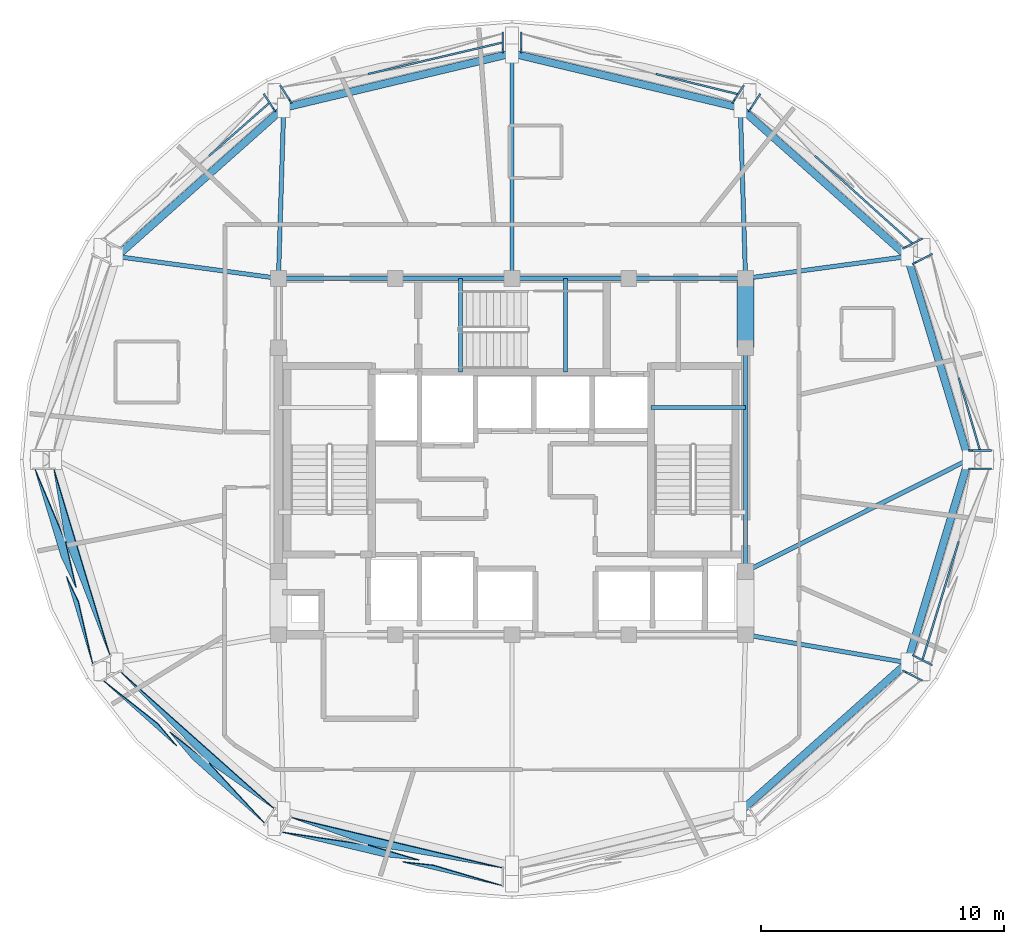
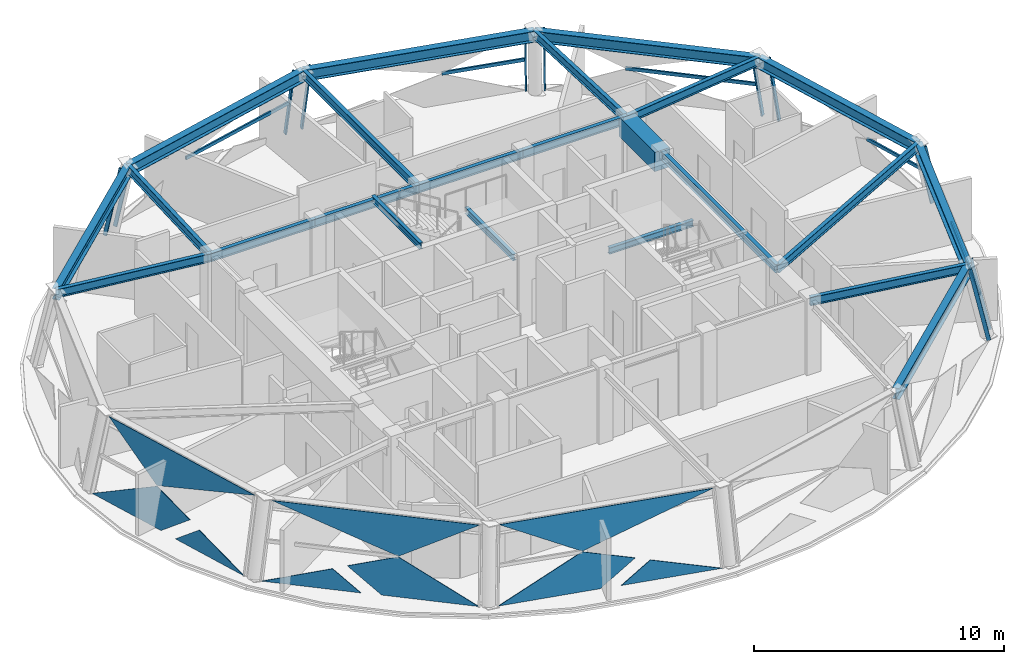
# One storey, part 2 of 11: 23 beams, 18 members, 9 plates, 10 elements without a shape of their own.
"""IFC4 building model written with IfcOpenShell, lengths in metres."""

from ifc_helpers import new_model, si_unit, direction, frame, origin, origin_2d, place, context, subcontext, project, spatial, polyline, rectangle, hollow_rectangle, i_section, outline, extrude, material, layer, layer_set, material_profile, profile_set, type_object, element, aggregate, save


model = new_model("IFC4")

# Units and contexts
model_context = context("Model", 3, precision=1e-05, world=origin(), true_north=direction((0.0, 1.0)))
body_context = subcontext(model_context, "Body", "Model", "MODEL_VIEW")
ifc_project = project(units=[si_unit("LENGTHUNIT", "METRE"), si_unit("AREAUNIT", "SQUARE_METRE"), si_unit("VOLUMEUNIT", "CUBIC_METRE"), si_unit("PLANEANGLEUNIT", "RADIAN"), si_unit("MASSUNIT", "GRAM", prefix="KILO")], contexts=[model_context])

# Site, building, storey
site_placement = place(None, origin())
site = spatial("IfcSite", under=ifc_project, at=site_placement, CompositionType="ELEMENT")
building_placement = place(site_placement, origin())
building = spatial("IfcBuilding", under=site, at=building_placement, Name="Vantalir Tower", CompositionType="ELEMENT")
storey_placement = place(building_placement, frame((0.0, 0.0, 278.85009765625)))
storey = spatial("IfcBuildingStorey", under=building, at=storey_placement, Name="L70", CompositionType="ELEMENT", Elevation=278.85009765625)

# Beams
ifc_material_1 = material(Name="Concrete C60/75", Category="concrete")
ifc_material_profile_1 = material_profile(ifc_material_1, rectangle(XDim=0.699951171875, YDim=0.949951171875, at=origin_2d()), Name="Concrete C60/75")
ifc_profile_set_1 = profile_set([ifc_material_profile_1], Name="Concrete C60/75")
beam_type_1 = type_object("IfcBeamType", Name="BM-CB-700x950", PredefinedType="USERDEFINED", material=ifc_profile_set_1)
beam_1_placement = place(storey_placement, frame((41.10009765625, 29.60009765625, 3.094970703125), z_axis=(0.0, 1.0, 0.0), x_axis=(-1.0, 0.0, 0.0)))
element("IfcBeam", 1, at=beam_1_placement, inside=storey, type_object=beam_type_1, Name="L70 Core Coupling Girder 07", ObjectType="GIRDER", PredefinedType="USERDEFINED", context=body_context, shape_type="SweptSolid", body=[
    extrude(rectangle(XDim=0.699951171875, YDim=0.949951171875, at=origin_2d()), origin(), (0.0, 0.0, 1.0), 2.849853515625),
])
ifc_material_2 = material(Name="Steel S355", Category="steel")
ifc_material_profile_2 = material_profile(ifc_material_2, i_section(OverallWidth=0.166015625, OverallDepth=0.306884765625, WebThickness=0.006591796875, FlangeThickness=0.01171875, at=origin_2d()), Name="Steel S355")
ifc_profile_set_2 = profile_set([ifc_material_profile_2], Name="Steel S355")
beam_type_2 = type_object("IfcBeamType", Name="BM-JS-305x165", PredefinedType="JOIST", material=ifc_profile_set_2)
beam_2_placement = place(storey_placement, frame((37.2099609375, 27.14501953125, 1.52099609375), z_axis=(1.0, 0.0, 0.0), x_axis=(0.0, 1.0, 0.0)))
element("IfcBeam", 2, at=beam_2_placement, inside=storey, type_object=beam_type_2, Name="L70 Stair ST2 Half-Landing Support Beam", PredefinedType="JOIST", context=body_context, shape_type="SweptSolid", body=[
    extrude(i_section(OverallWidth=0.166015625, OverallDepth=0.306884765625, WebThickness=0.006591796875, FlangeThickness=0.01171875, at=origin_2d()), origin(), (0.0, 0.0, 1.0), 3.89013671875),
])
for number, where, z_axis, x_axis, name in (
    (3, (29.385009765625, 28.60009765625, 3.595947265625), (0.0, 1.0, 0.0), (-1.0, 0.0, 0.0), "L71 Stair ST3 Well Nosing Trimmer Beam"),
    (4, (33.695068359375, 28.60009765625, 1.52099609375), (0.0, 1.0, 0.0), (-1.0, 0.0, 0.0), "L70 Stair ST3 Half-Landing Support Beam"),
):
    element("IfcBeam", number, at=place(storey_placement, frame(where, z_axis=z_axis, x_axis=x_axis)), inside=storey, type_object=beam_type_2, Name=name, PredefinedType="JOIST", context=body_context, shape_type="SweptSolid", body=[
        extrude(i_section(OverallWidth=0.166015625, OverallDepth=0.306884765625, WebThickness=0.006591796875, FlangeThickness=0.01171875, at=origin_2d()), origin(), (0.0, 0.0, 1.0), 3.849853515625),
    ])
ifc_material_profile_3 = material_profile(ifc_material_2, i_section(OverallWidth=0.179931640625, OverallDepth=0.4130859375, WebThickness=0.009521484375, FlangeThickness=0.01611328125, at=origin_2d()), Name="Steel S355")
ifc_profile_set_3 = profile_set([ifc_material_profile_3], Name="Steel S355")
beam_type_3 = type_object("IfcBeamType", Name="BM-RB-406x178", PredefinedType="BEAM", material=ifc_profile_set_3)
beam_3_placement = place(storey_placement, frame((41.10009765625, 20.39990234375, 3.364013671875), z_axis=(0.0, 1.0, 0.0), x_axis=(-1.0, 0.0, 0.0)))
element("IfcBeam", 5, at=beam_3_placement, inside=storey, type_object=beam_type_3, Name="L70 Core Coupling Girder 06", PredefinedType="BEAM", context=body_context, shape_type="SweptSolid", body=[
    extrude(i_section(OverallWidth=0.179931640625, OverallDepth=0.4130859375, WebThickness=0.009521484375, FlangeThickness=0.01611328125, at=origin_2d()), origin(), (0.0, 0.0, 1.0), 9.2001953125),
])
for number, where, z_axis, x_axis, name in (
    (6, (41.10009765625, 32.449951171875, 3.364013671875), (-1.0, 0.0, 0.0), (0.0, -1.0, 0.0), "L70 Core Coupling Girder 08"),
    (7, (36.300048828125, 32.449951171875, 3.364013671875), (-1.0, 0.0, 0.0), (0.0, -1.0, 0.0), "L70 Core Coupling Girder 09"),
    (8, (31.5, 32.449951171875, 3.364013671875), (-1.0, 0.0, 0.0), (0.0, -1.0, 0.0), "L70 Core Coupling Girder 10"),
    (9, (26.699951171875, 32.449951171875, 3.364013671875), (-1.0, 0.0, 0.0), (0.0, -1.0, 0.0), "L70 Core Coupling Girder 11"),
):
    element("IfcBeam", number, at=place(storey_placement, frame(where, z_axis=z_axis, x_axis=x_axis)), inside=storey, type_object=beam_type_3, Name=name, PredefinedType="BEAM", context=body_context, shape_type="SweptSolid", body=[
        extrude(i_section(OverallWidth=0.179931640625, OverallDepth=0.4130859375, WebThickness=0.009521484375, FlangeThickness=0.01611328125, at=origin_2d()), origin(), (0.0, 0.0, 1.0), 4.800048828125),
    ])
beam_4_placement = place(storey_placement, frame((50.27001953125, 25.0, 3.364013671875), z_axis=(-0.893836232743, -0.448393564892, 0.0), x_axis=(0.448393564892, -0.893836232743, 0.0)))
element("IfcBeam", 10, at=beam_4_placement, inside=storey, type_object=beam_type_3, Name="L70 Radial Floor Beam 01", PredefinedType="BEAM", context=body_context, shape_type="SweptSolid", body=[
    extrude(i_section(OverallWidth=0.179931640625, OverallDepth=0.4130859375, WebThickness=0.009521484375, FlangeThickness=0.01611328125, at=origin_2d()), origin(), (0.0, 0.0, 1.0), 10.259033203125),
])
beam_5_placement = place(storey_placement, frame((47.7548828125, 33.35009765625, 3.364013671875), z_axis=(-0.990975601046, -0.134042374388, 0.0), x_axis=(0.134042374388, -0.990975601046, 0.0)))
element("IfcBeam", 11, at=beam_5_placement, inside=storey, type_object=beam_type_3, Name="L70 Radial Floor Beam 02", PredefinedType="BEAM", context=body_context, shape_type="SweptSolid", body=[
    extrude(i_section(OverallWidth=0.179931640625, OverallDepth=0.4130859375, WebThickness=0.009521484375, FlangeThickness=0.01611328125, at=origin_2d()), origin(), (0.0, 0.0, 1.0), 6.71533203125),
])
beam_6_placement = place(storey_placement, frame((40.885009765625, 39.462890625, 3.364013671875), z_axis=(0.030655733064, -0.999530002566, 0.0), x_axis=(0.999530002566, 0.030655733064, 0.0)))
element("IfcBeam", 12, at=beam_6_placement, inside=storey, type_object=beam_type_3, Name="L70 Radial Floor Beam 03", PredefinedType="BEAM", context=body_context, shape_type="SweptSolid", body=[
    extrude(i_section(OverallWidth=0.179931640625, OverallDepth=0.4130859375, WebThickness=0.009521484375, FlangeThickness=0.01611328125, at=origin_2d()), origin(), (0.0, 0.0, 1.0), 7.016357421875),
])
beam_7_placement = place(storey_placement, frame((31.5, 41.699951171875, 3.364013671875), z_axis=(0.0, -1.0, 0.0), x_axis=(1.0, 0.0, 0.0)))
element("IfcBeam", 13, at=beam_7_placement, inside=storey, type_object=beam_type_3, Name="L70 Radial Floor Beam 04", PredefinedType="BEAM", context=body_context, shape_type="SweptSolid", body=[
    extrude(i_section(OverallWidth=0.179931640625, OverallDepth=0.4130859375, WebThickness=0.009521484375, FlangeThickness=0.01611328125, at=origin_2d()), origin(), (0.0, 0.0, 1.0), 9.25),
])
beam_8_placement = place(storey_placement, frame((22.114990234375, 39.462890625, 3.364013671875), z_axis=(-0.030655733064, -0.999530002566, 0.0), x_axis=(0.999530002566, -0.030655733064, 0.0)))
element("IfcBeam", 14, at=beam_8_placement, inside=storey, type_object=beam_type_3, Name="L70 Radial Floor Beam 05", PredefinedType="BEAM", context=body_context, shape_type="SweptSolid", body=[
    extrude(i_section(OverallWidth=0.179931640625, OverallDepth=0.4130859375, WebThickness=0.009521484375, FlangeThickness=0.01611328125, at=origin_2d()), origin(), (0.0, 0.0, 1.0), 7.016357421875),
])
beam_9_placement = place(storey_placement, frame((15.2451171875, 33.35009765625, 3.364013671875), z_axis=(0.990975601046, -0.134042374388, 0.0), x_axis=(0.134042374388, 0.990975601046, 0.0)))
element("IfcBeam", 15, at=beam_9_placement, inside=storey, type_object=beam_type_3, Name="L70 Radial Floor Beam 06", PredefinedType="BEAM", context=body_context, shape_type="SweptSolid", body=[
    extrude(i_section(OverallWidth=0.179931640625, OverallDepth=0.4130859375, WebThickness=0.009521484375, FlangeThickness=0.01611328125, at=origin_2d()), origin(), (0.0, 0.0, 1.0), 6.71533203125),
])
beam_10_placement = place(storey_placement, frame((47.7548828125, 16.64990234375, 3.364013671875), z_axis=(-0.985391365935, 0.170305184714, 0.0), x_axis=(-0.170305184714, -0.985391365935, 0.0)))
element("IfcBeam", 16, at=beam_10_placement, inside=storey, type_object=beam_type_3, Name="L70 Radial Floor Beam 12", PredefinedType="BEAM", context=body_context, shape_type="SweptSolid", body=[
    extrude(i_section(OverallWidth=0.179931640625, OverallDepth=0.4130859375, WebThickness=0.009521484375, FlangeThickness=0.01611328125, at=origin_2d()), origin(), (0.0, 0.0, 1.0), 6.75341796875),
])
ifc_material_3 = material(Name="Steel S460", Category="steel")
ifc_material_profile_4 = material_profile(ifc_material_3, i_section(OverallWidth=0.31201171875, OverallDepth=0.5419921875, WebThickness=0.0126953125, FlangeThickness=0.020263671875, at=origin_2d()), Name="Steel S460")
ifc_profile_set_4 = profile_set([ifc_material_profile_4], Name="Steel S460")
beam_type_4 = type_object("IfcBeamType", Name="BM-RG-533x312", PredefinedType="USERDEFINED", material=ifc_profile_set_4)
beam_11_placement = place(storey_placement, frame((50.27001953125, 25.0, 3.298828125), z_axis=(-0.288411028939, 0.957506698873, 0.0), x_axis=(-0.957506698873, -0.288411028939, 0.0)))
element("IfcBeam", 17, at=beam_11_placement, inside=storey, type_object=beam_type_4, Name="L70 Circumferential Ring Girder 01", ObjectType="GIRDER", PredefinedType="USERDEFINED", context=body_context, shape_type="SweptSolid", body=[
    extrude(i_section(OverallWidth=0.31201171875, OverallDepth=0.5419921875, WebThickness=0.0126953125, FlangeThickness=0.020263671875, at=origin_2d()), origin(), (0.0, 0.0, 1.0), 8.720703125),
])
beam_12_placement = place(storey_placement, frame((47.7548828125, 33.35009765625, 3.298828125), z_axis=(-0.747072320414, 0.664742768348, 0.0), x_axis=(-0.664742768348, -0.747072320414, 0.0)))
element("IfcBeam", 18, at=beam_12_placement, inside=storey, type_object=beam_type_4, Name="L70 Circumferential Ring Girder 02", ObjectType="GIRDER", PredefinedType="USERDEFINED", context=body_context, shape_type="SweptSolid", body=[
    extrude(i_section(OverallWidth=0.31201171875, OverallDepth=0.5419921875, WebThickness=0.0126953125, FlangeThickness=0.020263671875, at=origin_2d()), origin(), (0.0, 0.0, 1.0), 9.19580078125),
])
for number, where, z_axis, x_axis, name in (
    (19, (40.885009765625, 39.462890625, 3.298828125), (-0.972746993267, 0.23186911629, 0.0), (-0.23186911629, -0.972746993267, 0.0), "L70 Circumferential Ring Girder 03"),
    (20, (31.5, 41.699951171875, 3.298828125), (-0.972746993267, -0.23186911629, 0.0), (0.23186911629, -0.972746993267, 0.0), "L70 Circumferential Ring Girder 04"),
):
    element("IfcBeam", number, at=place(storey_placement, frame(where, z_axis=z_axis, x_axis=x_axis)), inside=storey, type_object=beam_type_4, Name=name, ObjectType="GIRDER", PredefinedType="USERDEFINED", context=body_context, shape_type="SweptSolid", body=[
        extrude(i_section(OverallWidth=0.31201171875, OverallDepth=0.5419921875, WebThickness=0.0126953125, FlangeThickness=0.020263671875, at=origin_2d()), origin(), (0.0, 0.0, 1.0), 9.64794921875),
    ])
for number, where, z_axis, x_axis, name in (
    (21, (22.114990234375, 39.462890625, 3.298828125), (-0.747072320414, -0.664742768348, 0.0), (0.664742768348, -0.747072320414, 0.0), "L70 Circumferential Ring Girder 05"),
    (22, (40.885009765625, 10.537109375, 3.298828125), (0.747072320414, 0.664742768348, 0.0), (-0.664742768348, 0.747072320414, 0.0), "L70 Circumferential Ring Girder 11"),
):
    element("IfcBeam", number, at=place(storey_placement, frame(where, z_axis=z_axis, x_axis=x_axis)), inside=storey, type_object=beam_type_4, Name=name, ObjectType="GIRDER", PredefinedType="USERDEFINED", context=body_context, shape_type="SweptSolid", body=[
        extrude(i_section(OverallWidth=0.31201171875, OverallDepth=0.5419921875, WebThickness=0.0126953125, FlangeThickness=0.020263671875, at=origin_2d()), origin(), (0.0, 0.0, 1.0), 9.19580078125),
    ])
beam_13_placement = place(storey_placement, frame((47.7548828125, 16.64990234375, 3.298828125), z_axis=(0.288411028939, 0.957506698873, 0.0), x_axis=(-0.957506698873, 0.288411028939, 0.0)))
element("IfcBeam", 23, at=beam_13_placement, inside=storey, type_object=beam_type_4, Name="L70 Circumferential Ring Girder 12", ObjectType="GIRDER", PredefinedType="USERDEFINED", context=body_context, shape_type="SweptSolid", body=[
    extrude(i_section(OverallWidth=0.31201171875, OverallDepth=0.5419921875, WebThickness=0.0126953125, FlangeThickness=0.020263671875, at=origin_2d()), origin(), (0.0, 0.0, 1.0), 8.720703125),
])

# Curtain wall, members
ifc_material_4 = material(Name="Champagne-silver PVDF aluminium and double-silver Low-E glass", Category="aluminium")
ifc_layer_1 = layer(ifc_material_4, 0.219970703125)
ifc_layer_set_1 = layer_set([ifc_layer_1], Name="Champagne-silver PVDF aluminium and double-silver Low-E glass")
curtain_wall_type = type_object("IfcCurtainWallType", Name="CW-DIAMOND-Z4", PredefinedType="USERDEFINED", material=ifc_layer_set_1)
curtain_wall_1_placement = place(storey_placement, origin())
curtain_wall_1 = element("IfcCurtainWall", 24, at=curtain_wall_1_placement, inside=storey, type_object=curtain_wall_type, Name="L70 Quilted Pyramid-Diamond Curtain Wall S01", ObjectType="UNITISED CURTAIN WALL", PredefinedType="USERDEFINED")
ifc_material_5 = material(Name="Champagne-silver PVDF aluminium 6063-T6", Category="aluminium")
ifc_material_profile_5 = material_profile(ifc_material_5, hollow_rectangle(XDim=0.070068359375, YDim=0.1650390625, WallThickness=0.00390625, at=origin_2d()), Name="Champagne-silver PVDF aluminium 6063-T6")
ifc_profile_set_5 = profile_set([ifc_material_profile_5], Name="Champagne-silver PVDF aluminium 6063-T6")
member_type_1 = type_object("IfcMemberType", Name="CWM-165x70", PredefinedType="MULLION", material=ifc_profile_set_5)
member_1_placement = place(storey_placement, frame((51.1279296875, 25.373046875, 0.044921875), z_axis=(-0.218720447595, 0.0, 0.975787561821), x_axis=(0.0, -1.0, 0.0)))
member_1 = element("IfcMember", 25, at=member_1_placement, type_object=member_type_1, Name="CW-L70-S01 Mullion 1", PredefinedType="MULLION", context=body_context, shape_type="SweptSolid", body=[
    extrude(hollow_rectangle(XDim=0.070068359375, YDim=0.1650390625, WallThickness=0.00390625, at=origin_2d()), origin(), (0.0, 0.0, 1.0), 3.56640625),
])
member_2_placement = place(storey_placement, frame((48.70703125, 33.419921875, 0.044921875), z_axis=(-0.189520369582, -0.09767324653, 0.977006635815), x_axis=(0.458110557784, -0.888895222648, 0.0)))
member_2 = element("IfcMember", 26, at=member_2_placement, type_object=member_type_1, Name="CW-L70-S01 Mullion 2", PredefinedType="MULLION", context=body_context, shape_type="SweptSolid", body=[
    extrude(hollow_rectangle(XDim=0.070068359375, YDim=0.1650390625, WallThickness=0.00390625, at=origin_2d()), origin(), (0.0, 0.0, 1.0), 3.561767578125),
])

curtain_wall_2_placement = place(storey_placement, origin())
curtain_wall_2 = element("IfcCurtainWall", 27, at=curtain_wall_2_placement, inside=storey, type_object=curtain_wall_type, Name="L70 Quilted Pyramid-Diamond Curtain Wall S02", ObjectType="UNITISED CURTAIN WALL", PredefinedType="USERDEFINED")
member_3_placement = place(storey_placement, frame((48.303955078125, 34.052001953125, 0.044921875), z_axis=(-0.189520369582, -0.09767324653, 0.977006635815), x_axis=(0.458110557784, -0.888895222648, 0.0)))
member_3 = element("IfcMember", 28, at=member_3_placement, type_object=member_type_1, Name="CW-L70-S02 Mullion 1", PredefinedType="MULLION", context=body_context, shape_type="SweptSolid", body=[
    extrude(hollow_rectangle(XDim=0.070068359375, YDim=0.1650390625, WallThickness=0.00390625, at=origin_2d()), origin(), (0.0, 0.0, 1.0), 3.561767578125),
])
member_4_placement = place(storey_placement, frame((41.660888671875, 39.970947265625, 0.044921875), z_axis=(-0.109726976538, -0.169709224828, 0.979366514451), x_axis=(0.83976165719, -0.542955209123, 0.0)))
member_4 = element("IfcMember", 29, at=member_4_placement, type_object=member_type_1, Name="CW-L70-S02 Mullion 2", PredefinedType="MULLION", context=body_context, shape_type="SweptSolid", body=[
    extrude(hollow_rectangle(XDim=0.070068359375, YDim=0.1650390625, WallThickness=0.00390625, at=origin_2d()), origin(), (0.0, 0.0, 1.0), 3.55322265625),
])

curtain_wall_3_placement = place(storey_placement, origin())
curtain_wall_3 = element("IfcCurtainWall", 30, at=curtain_wall_3_placement, inside=storey, type_object=curtain_wall_type, Name="L70 Quilted Pyramid-Diamond Curtain Wall S03", ObjectType="UNITISED CURTAIN WALL", PredefinedType="USERDEFINED")
member_5_placement = place(storey_placement, frame((40.990966796875, 40.321044921875, 0.044921875), z_axis=(-0.109726976538, -0.169709224828, 0.979366514451), x_axis=(0.83976165719, -0.542955209123, 0.0)))
member_5 = element("IfcMember", 31, at=member_5_placement, type_object=member_type_1, Name="CW-L70-S03 Mullion 1", PredefinedType="MULLION", context=body_context, shape_type="SweptSolid", body=[
    extrude(hollow_rectangle(XDim=0.070068359375, YDim=0.1650390625, WallThickness=0.00390625, at=origin_2d()), origin(), (0.0, 0.0, 1.0), 3.55322265625),
])
member_6_placement = place(storey_placement, frame((31.87890625, 42.4951171875, 0.044921875), z_axis=(0.0, -0.196129364579, 0.98057802971), x_axis=(1.0, 0.0, 0.0)))
member_6 = element("IfcMember", 32, at=member_6_placement, type_object=member_type_1, Name="CW-L70-S03 Mullion 2", PredefinedType="MULLION", context=body_context, shape_type="SweptSolid", body=[
    extrude(hollow_rectangle(XDim=0.070068359375, YDim=0.1650390625, WallThickness=0.00390625, at=origin_2d()), origin(), (0.0, 0.0, 1.0), 3.548828125),
])

curtain_wall_4_placement = place(storey_placement, origin())
curtain_wall_4 = element("IfcCurtainWall", 33, at=curtain_wall_4_placement, inside=storey, type_object=curtain_wall_type, Name="L70 Quilted Pyramid-Diamond Curtain Wall S04", ObjectType="UNITISED CURTAIN WALL", PredefinedType="USERDEFINED")
member_7_placement = place(storey_placement, frame((31.12109375, 42.4951171875, 0.044921875), z_axis=(0.0, -0.196129364579, 0.98057802971), x_axis=(1.0, 0.0, 0.0)))
member_7 = element("IfcMember", 34, at=member_7_placement, type_object=member_type_1, Name="CW-L70-S04 Mullion 1", PredefinedType="MULLION", context=body_context, shape_type="SweptSolid", body=[
    extrude(hollow_rectangle(XDim=0.070068359375, YDim=0.1650390625, WallThickness=0.00390625, at=origin_2d()), origin(), (0.0, 0.0, 1.0), 3.548828125),
])
member_8_placement = place(storey_placement, frame((22.009033203125, 40.321044921875, 0.044921875), z_axis=(0.109726976538, -0.169709224828, 0.979366514451), x_axis=(0.83976165719, 0.542955209123, 0.0)))
member_8 = element("IfcMember", 35, at=member_8_placement, type_object=member_type_1, Name="CW-L70-S04 Mullion 2", PredefinedType="MULLION", context=body_context, shape_type="SweptSolid", body=[
    extrude(hollow_rectangle(XDim=0.070068359375, YDim=0.1650390625, WallThickness=0.00390625, at=origin_2d()), origin(), (0.0, 0.0, 1.0), 3.55322265625),
])

# Curtain wall, member
curtain_wall_5_placement = place(storey_placement, origin())
curtain_wall_5 = element("IfcCurtainWall", 36, at=curtain_wall_5_placement, inside=storey, type_object=curtain_wall_type, Name="L70 Quilted Pyramid-Diamond Curtain Wall S05", ObjectType="UNITISED CURTAIN WALL", PredefinedType="USERDEFINED")
member_9_placement = place(storey_placement, frame((21.339111328125, 39.970947265625, 0.044921875), z_axis=(0.109726976538, -0.169709224828, 0.979366514451), x_axis=(0.83976165719, 0.542955209123, 0.0)))
member_9 = element("IfcMember", 37, at=member_9_placement, type_object=member_type_1, Name="CW-L70-S05 Mullion 1", PredefinedType="MULLION", context=body_context, shape_type="SweptSolid", body=[
    extrude(hollow_rectangle(XDim=0.070068359375, YDim=0.1650390625, WallThickness=0.00390625, at=origin_2d()), origin(), (0.0, 0.0, 1.0), 3.55322265625),
])

curtain_wall_6_placement = place(storey_placement, origin())
curtain_wall_6 = element("IfcCurtainWall", 38, at=curtain_wall_6_placement, inside=storey, type_object=curtain_wall_type, Name="L70 Quilted Pyramid-Diamond Curtain Wall S11", ObjectType="UNITISED CURTAIN WALL", PredefinedType="USERDEFINED")
member_10_placement = place(storey_placement, frame((48.303955078125, 15.947998046875, 0.044921875), z_axis=(-0.189520369582, 0.09767324653, 0.977006635815), x_axis=(-0.458110557784, -0.888895222648, 0.0)))
member_10 = element("IfcMember", 39, at=member_10_placement, type_object=member_type_1, Name="CW-L70-S11 Mullion 2", PredefinedType="MULLION", context=body_context, shape_type="SweptSolid", body=[
    extrude(hollow_rectangle(XDim=0.070068359375, YDim=0.1650390625, WallThickness=0.00390625, at=origin_2d()), origin(), (0.0, 0.0, 1.0), 3.561767578125),
])
aggregate(curtain_wall_6, [member_10])

# Curtain wall, members
curtain_wall_7_placement = place(storey_placement, origin())
curtain_wall_7 = element("IfcCurtainWall", 40, at=curtain_wall_7_placement, inside=storey, type_object=curtain_wall_type, Name="L70 Quilted Pyramid-Diamond Curtain Wall S12", ObjectType="UNITISED CURTAIN WALL", PredefinedType="USERDEFINED")
member_11_placement = place(storey_placement, frame((48.70703125, 16.580078125, 0.044921875), z_axis=(-0.189520369582, 0.09767324653, 0.977006635815), x_axis=(-0.458110557784, -0.888895222648, 0.0)))
member_11 = element("IfcMember", 41, at=member_11_placement, type_object=member_type_1, Name="CW-L70-S12 Mullion 1", PredefinedType="MULLION", context=body_context, shape_type="SweptSolid", body=[
    extrude(hollow_rectangle(XDim=0.070068359375, YDim=0.1650390625, WallThickness=0.00390625, at=origin_2d()), origin(), (0.0, 0.0, 1.0), 3.561767578125),
])
member_12_placement = place(storey_placement, frame((51.1279296875, 24.626953125, 0.044921875), z_axis=(-0.218720447595, 0.0, 0.975787561821), x_axis=(0.0, -1.0, 0.0)))
member_12 = element("IfcMember", 42, at=member_12_placement, type_object=member_type_1, Name="CW-L70-S12 Mullion 2", PredefinedType="MULLION", context=body_context, shape_type="SweptSolid", body=[
    extrude(hollow_rectangle(XDim=0.070068359375, YDim=0.1650390625, WallThickness=0.00390625, at=origin_2d()), origin(), (0.0, 0.0, 1.0), 3.56640625),
])

# Member
ifc_material_profile_6 = material_profile(ifc_material_5, hollow_rectangle(XDim=0.074951171875, YDim=0.159912109375, WallThickness=0.00390625, at=origin_2d()), Name="Champagne-silver PVDF aluminium 6063-T6")
ifc_profile_set_6 = profile_set([ifc_material_profile_6], Name="Champagne-silver PVDF aluminium 6063-T6")
member_type_2 = type_object("IfcMemberType", Name="CWT-160x75", PredefinedType="USERDEFINED", material=ifc_profile_set_6)
member_13_placement = place(storey_placement, frame((50.738037109375, 25.373046875, 1.784912109375), z_axis=(-0.280933894461, 0.959727121083, 0.0), x_axis=(-0.959727121083, -0.280933894461, 0.0)))
member_13 = element("IfcMember", 43, at=member_13_placement, type_object=member_type_2, Name="CW-L70-S01 Pyramid Fold Ridge Transom", ObjectType="TRANSOM", PredefinedType="USERDEFINED", context=body_context, shape_type="SweptSolid", body=[
    extrude(hollow_rectangle(XDim=0.074951171875, YDim=0.159912109375, WallThickness=0.00390625, at=origin_2d()), origin(), (0.0, 0.0, 1.0), 3.12158203125),
])

aggregate(curtain_wall_1, [member_1, member_2, member_13])

member_14_placement = place(storey_placement, frame((47.966064453125, 33.8779296875, 1.784912109375), z_axis=(-0.743635964772, 0.668584738008, 0.0), x_axis=(-0.668584738008, -0.743635964772, 0.0)))
member_14 = element("IfcMember", 44, at=member_14_placement, type_object=member_type_2, Name="CW-L70-S02 Pyramid Fold Ridge Transom", ObjectType="TRANSOM", PredefinedType="USERDEFINED", context=body_context, shape_type="SweptSolid", body=[
    extrude(hollow_rectangle(XDim=0.074951171875, YDim=0.159912109375, WallThickness=0.00390625, at=origin_2d()), origin(), (0.0, 0.0, 1.0), 5.396728515625),
])

aggregate(curtain_wall_2, [member_3, member_4, member_14])

member_15_placement = place(storey_placement, frame((40.7958984375, 40.01904296875, 1.784912109375), z_axis=(-0.971075959194, 0.238770771821, 0.0), x_axis=(-0.238770771821, -0.971075959194, 0.0)))
member_15 = element("IfcMember", 45, at=member_15_placement, type_object=member_type_2, Name="CW-L70-S03 Pyramid Fold Ridge Transom", ObjectType="TRANSOM", PredefinedType="USERDEFINED", context=body_context, shape_type="SweptSolid", body=[
    extrude(hollow_rectangle(XDim=0.074951171875, YDim=0.159912109375, WallThickness=0.00390625, at=origin_2d()), origin(), (0.0, 0.0, 1.0), 3.48046875),
])

aggregate(curtain_wall_3, [member_5, member_6, member_15])

member_16_placement = place(storey_placement, frame((31.12109375, 42.14697265625, 1.784912109375), z_axis=(-0.973650873835, -0.228043802549, 0.0), x_axis=(0.228043802549, -0.973650873835, 0.0)))
member_16 = element("IfcMember", 46, at=member_16_placement, type_object=member_type_2, Name="CW-L70-S04 Pyramid Fold Ridge Transom", ObjectType="TRANSOM", PredefinedType="USERDEFINED", context=body_context, shape_type="SweptSolid", body=[
    extrude(hollow_rectangle(XDim=0.074951171875, YDim=0.159912109375, WallThickness=0.00390625, at=origin_2d()), origin(), (0.0, 0.0, 1.0), 5.68701171875),
])

aggregate(curtain_wall_4, [member_7, member_8, member_16])

member_17_placement = place(storey_placement, frame((21.533935546875, 39.6689453125, 1.784912109375), z_axis=(-0.751542821683, -0.659684308724, 0.0), x_axis=(0.659684308724, -0.751542821683, 0.0)))
member_17 = element("IfcMember", 47, at=member_17_placement, type_object=member_type_2, Name="CW-L70-S05 Pyramid Fold Ridge Transom", ObjectType="TRANSOM", PredefinedType="USERDEFINED", context=body_context, shape_type="SweptSolid", body=[
    extrude(hollow_rectangle(XDim=0.074951171875, YDim=0.159912109375, WallThickness=0.00390625, at=origin_2d()), origin(), (0.0, 0.0, 1.0), 3.308837890625),
])

aggregate(curtain_wall_5, [member_9, member_17])

member_18_placement = place(storey_placement, frame((48.3701171875, 16.75390625, 1.784912109375), z_axis=(0.292346233181, 0.956312543024, 0.0), x_axis=(-0.956312543024, 0.292346233181, 0.0)))
member_18 = element("IfcMember", 48, at=member_18_placement, type_object=member_type_2, Name="CW-L70-S12 Pyramid Fold Ridge Transom", ObjectType="TRANSOM", PredefinedType="USERDEFINED", context=body_context, shape_type="SweptSolid", body=[
    extrude(hollow_rectangle(XDim=0.074951171875, YDim=0.159912109375, WallThickness=0.00390625, at=origin_2d()), origin(), (0.0, 0.0, 1.0), 5.10009765625),
])

aggregate(curtain_wall_7, [member_11, member_12, member_18])

# Curtain wall, plates
curtain_wall_8_placement = place(storey_placement, origin())
curtain_wall_8 = element("IfcCurtainWall", 49, at=curtain_wall_8_placement, inside=storey, type_object=curtain_wall_type, Name="L70 Quilted Pyramid-Diamond Curtain Wall S07", ObjectType="UNITISED CURTAIN WALL", PredefinedType="USERDEFINED")
ifc_material_6 = material(Name="Double-silver Low-E acoustic glass IGU", Category="glass")
ifc_layer_2 = layer(ifc_material_6, 0.031982421875)
ifc_layer_set_2 = layer_set([ifc_layer_2], Name="Double-silver Low-E acoustic glass IGU")
plate_type = type_object("IfcPlateType", Name="CWP-IGU-32", PredefinedType="CURTAIN_PANEL", material=ifc_layer_set_2)
plate_1_placement = place(storey_placement, frame((11.876953125, 24.612548828125, 0.047119140625), z_axis=(-0.938844856219, -0.282432365834, 0.19698298069), x_axis=(0.288064955524, -0.957610869658, -6.0927675e-05)))
plate_1 = element("IfcPlate", 50, at=plate_1_placement, type_object=plate_type, Name="CW-L70-S07 Pyramid Diamond Facet 1L", PredefinedType="CURTAIN_PANEL", context=body_context, shape_type="SweptSolid", body=[
    extrude(outline(polyline([(0.0, 0.0), (3.7814038845801523, -3.791997098268052e-17), (5.165391058592876, 1.0965056853286526), (3.2257569810311266, 1.7595386070550223), (0.0, 0.0)])), origin(), (0.0, 0.0, -1.0), 0.031982421875),
])
plate_2_placement = place(storey_placement, frame((13.1689453125, 20.195068359375, 0.053955078125), z_axis=(-0.938842721954, -0.282389263406, 0.197054934847), x_axis=(0.288036963055, -0.957619291741, 0.0)))
plate_2 = element("IfcPlate", 51, at=plate_2_placement, type_object=plate_type, Name="CW-L70-S07 Pyramid Diamond Facet 1L Infill Light", PredefinedType="CURTAIN_PANEL", context=body_context, shape_type="SweptSolid", body=[
    extrude(outline(polyline([(0.0, 0.0), (3.7701324457838936, 2.7755575615628914e-17), (1.1366346836791343, 0.9004684823359722), (0.0, 0.0)])), origin(), (0.0, 0.0, -1.0), 0.031982421875),
])
plate_3_placement = place(storey_placement, frame((14.962890625, 16.942626953125, 3.52294921875), z_axis=(-0.933591175972, -0.280791270516, 0.222629240105), x_axis=(-0.288032977747, 0.95762048851, -6.0965812e-05)))
plate_3 = element("IfcPlate", 52, at=plate_3_placement, type_object=plate_type, Name="CW-L70-S07 Pyramid Diamond Facet 2U", PredefinedType="CURTAIN_PANEL", context=body_context, shape_type="SweptSolid", body=[
    extrude(outline(polyline([(0.0, 0.0), (8.009099456834017, -9.03682510766668e-17), (5.007673031418236, 1.7694439086196514), (0.0, 0.0)])), origin(), (0.0, 0.0, -1.0), 0.031982421875),
])
aggregate(curtain_wall_8, [plate_1, plate_2, plate_3])

curtain_wall_9_placement = place(storey_placement, origin())
curtain_wall_9 = element("IfcCurtainWall", 53, at=curtain_wall_9_placement, inside=storey, type_object=curtain_wall_type, Name="L70 Quilted Pyramid-Diamond Curtain Wall S08", ObjectType="UNITISED CURTAIN WALL", PredefinedType="USERDEFINED")
plate_4_placement = place(storey_placement, frame((18.363525390625, 12.680908203125, 0.046875), z_axis=(-0.653551323312, -0.733507249659, 0.186648821304), x_axis=(0.746634895251, -0.665234041664, 5.4817073e-05)))
plate_4 = element("IfcPlate", 54, at=plate_4_placement, type_object=plate_type, Name="CW-L70-S08 Pyramid Diamond Facet 1L", PredefinedType="CURTAIN_PANEL", context=body_context, shape_type="SweptSolid", body=[
    extrude(outline(polyline([(0.0, 0.0), (3.9704121215130614, -7.724940478959219e-17), (0.613146758335046, 1.7561698920232336), (-1.443400195411699, 1.1006942914046356), (0.0, 0.0)])), origin(), (0.0, 0.0, -1.0), 0.031982421875),
])
plate_5_placement = place(storey_placement, frame((14.68408203125, 15.91162109375, 0.053466796875), z_axis=(-0.653523787013, -0.733514530981, 0.18671661053), x_axis=(0.746645169755, -0.665222512007, 0.0)))
plate_5 = element("IfcPlate", 55, at=plate_5_placement, type_object=plate_type, Name="CW-L70-S08 Pyramid Diamond Facet 1L Infill Light", PredefinedType="CURTAIN_PANEL", context=body_context, shape_type="SweptSolid", body=[
    extrude(outline(polyline([(0.0, 0.0), (4.0568838547072374, 5.551115123125783e-17), (2.8611040939885526, 0.9120353139058341), (0.0, 0.0)])), origin(), (0.0, 0.0, -1.0), 0.031982421875),
])
plate_6_placement = place(storey_placement, frame((21.71728515625, 10.641845703125, 3.522705078125), z_axis=(-0.649957525765, -0.729622791687, 0.212616548161), x_axis=(-0.74669128495, 0.665170748118, 2.877534e-05)))
plate_6 = element("IfcPlate", 56, at=plate_6_placement, type_object=plate_type, Name="CW-L70-S08 Pyramid Diamond Facet 2U", PredefinedType="CURTAIN_PANEL", context=body_context, shape_type="SweptSolid", body=[
    extrude(outline(polyline([(0.0, 0.0), (8.484369920760685, 1.2522535092207576e-17), (3.246775082158225, 1.7655593378170331), (0.0, 0.0)])), origin(), (0.0, 0.0, -1.0), 0.031982421875),
])
aggregate(curtain_wall_9, [plate_4, plate_5, plate_6])

curtain_wall_10_placement = place(storey_placement, origin())
curtain_wall_10 = element("IfcCurtainWall", 57, at=curtain_wall_10_placement, inside=storey, type_object=curtain_wall_type, Name="L70 Quilted Pyramid-Diamond Curtain Wall S09", ObjectType="UNITISED CURTAIN WALL", PredefinedType="USERDEFINED")
plate_7_placement = place(storey_placement, frame((22.02392578125, 9.67626953125, 0.046875), z_axis=(-0.228481348952, -0.95712566124, 0.178063869939), x_axis=(0.972670120087, -0.232191381143, 3.661113e-06)))
plate_7 = element("IfcPlate", 58, at=plate_7_placement, type_object=plate_type, Name="CW-L70-S09 Pyramid Diamond Facet 1L", PredefinedType="CURTAIN_PANEL", context=body_context, shape_type="SweptSolid", body=[
    extrude(outline(polyline([(0.0, 0.0), (4.251424865231911, 0.0), (5.769900013027781, 1.0889140891565692), (3.593074594485734, 1.7533648503617765), (0.0, 0.0)])), origin(), (0.0, 0.0, -1.0), 0.031982421875),
])
plate_8_placement = place(storey_placement, frame((27.00048828125, 8.451904296875, 0.05322265625), z_axis=(-0.228447888109, -0.957119083445, 0.178142141348), x_axis=(0.972674847658, -0.232171568833, -5.7955958e-05)))
plate_8 = element("IfcPlate", 59, at=plate_8_placement, type_object=plate_type, Name="CW-L70-S09 Pyramid Diamond Facet 1L Infill Light", PredefinedType="CURTAIN_PANEL", context=body_context, shape_type="SweptSolid", body=[
    extrude(outline(polyline([(0.0, 0.0), (4.212519856188243, 1.8404331877941438e-17), (1.257756258708385, 0.9019509858921202), (0.0, 0.0)])), origin(), (0.0, 0.0, -1.0), 0.031982421875),
])
plate_9_placement = place(storey_placement, frame((31.106201171875, 8.20361328125, 3.523193359375), z_axis=(-0.227315919122, -0.952250340027, 0.203830230419), x_axis=(-0.972672977881, 0.232179402865, -5.4636876e-05)))
plate_9 = element("IfcPlate", 60, at=plate_9_placement, type_object=plate_type, Name="CW-L70-S09 Pyramid Diamond Facet 2U", PredefinedType="CURTAIN_PANEL", context=body_context, shape_type="SweptSolid", body=[
    extrude(outline(polyline([(0.0, 0.0), (8.936844294843638, 1.1384122811097797e-17), (5.5829161339966955, 1.7625271013872832), (0.0, 0.0)])), origin(), (0.0, 0.0, -1.0), 0.031982421875),
])
aggregate(curtain_wall_10, [plate_7, plate_8, plate_9])

save(model, "model.ifc")
